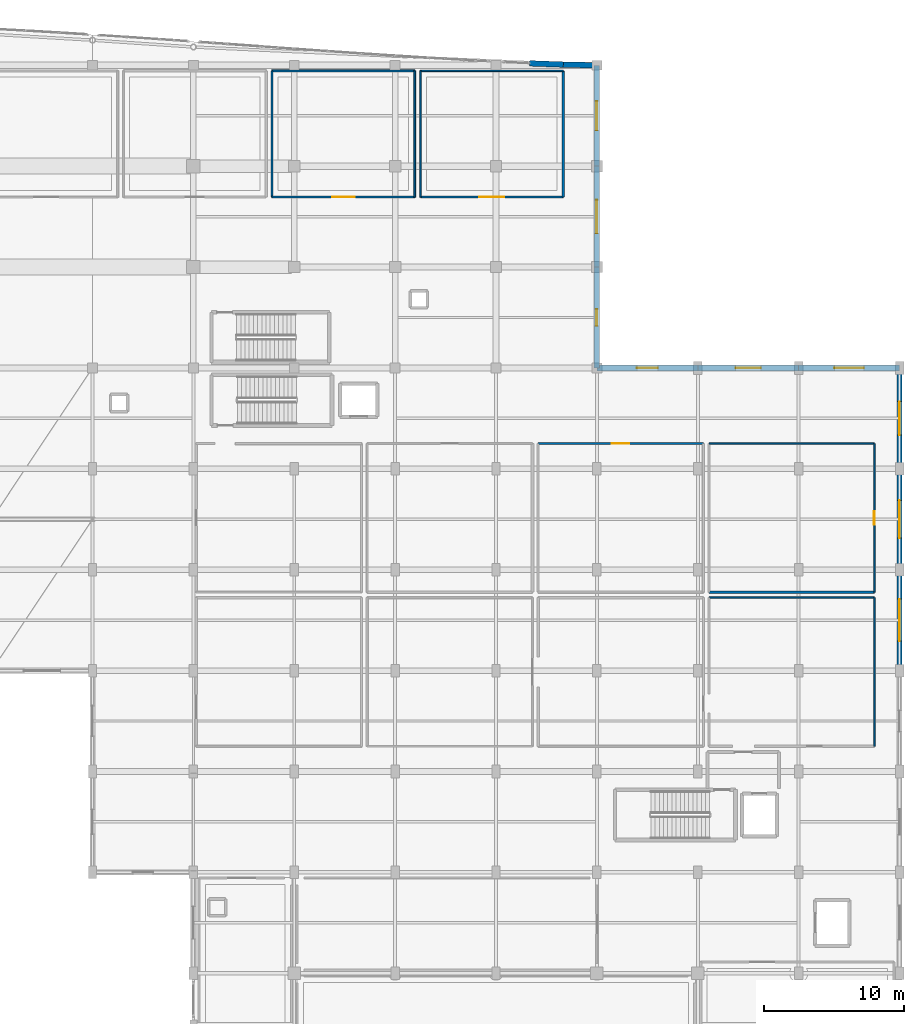
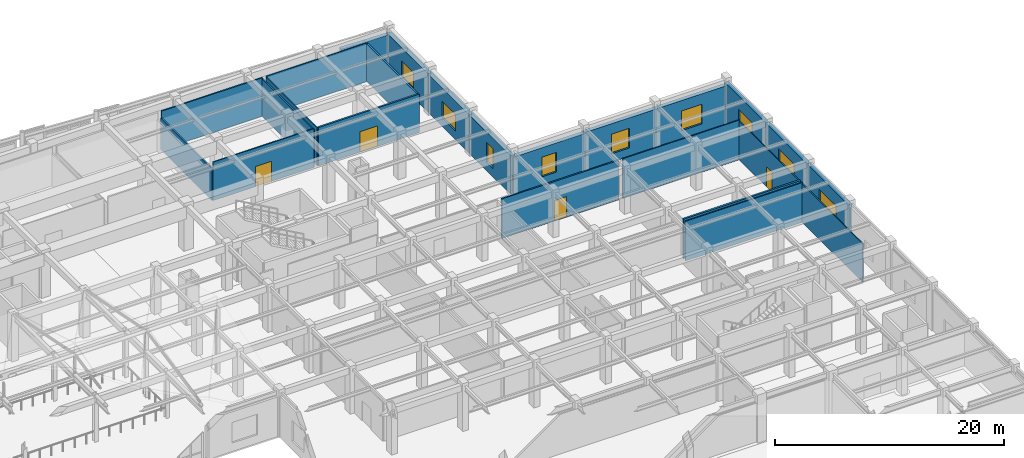
# One storey, part 96 of 117: 25 walls, 9 windows, 4 doors, 13 openings.
"""IFC4 building model written with IfcOpenShell, lengths in metres."""

from ifc_helpers import new_model, si_unit, direction, frame, frame_2d, origin, place, context, subcontext, project, spatial, rectangle, extrude, material, layer, layer_set, type_object, element, fill, save


model = new_model("IFC4")

# Units and contexts
model_context = context("Model", 3, precision=1e-05, world=origin(), true_north=direction((0.0, 1.0)))
body_context = subcontext(model_context, "Body", "Model", "MODEL_VIEW")
ifc_project = project(units=[si_unit("LENGTHUNIT", "METRE"), si_unit("AREAUNIT", "SQUARE_METRE"), si_unit("VOLUMEUNIT", "CUBIC_METRE"), si_unit("PLANEANGLEUNIT", "RADIAN"), si_unit("MASSUNIT", "GRAM", prefix="KILO")], contexts=[model_context])

# Site, building, storey
site_placement = place(None, origin())
site = spatial("IfcSite", under=ifc_project, at=site_placement, CompositionType="ELEMENT")
building_placement = place(site_placement, origin())
building = spatial("IfcBuilding", under=site, at=building_placement, Name="Carrowvane Square Congress Hotel", CompositionType="ELEMENT")
storey_placement = place(building_placement, frame((0.0, 0.0, 5.39990234375)))
storey = spatial("IfcBuildingStorey", under=building, at=storey_placement, Name="L01", CompositionType="ELEMENT", Elevation=5.39990234375)

# Wall, opening, window
ifc_material_1 = material(Name="Glazed terracotta rainscreen", Category="masonry")
ifc_layer_1 = layer(ifc_material_1, 0.360107421875)
ifc_layer_set_1 = layer_set([ifc_layer_1], Name="Glazed terracotta rainscreen")
wall_type_1 = type_object("IfcWallType", Name="WL-EXT-TC360", PredefinedType="STANDARD", material=ifc_layer_set_1)
wall_1_placement = place(storey_placement, frame((184.39990234375, 91.800048828125, 0.0), z_axis=(0.0, 0.0, 1.0), x_axis=(0.0, -1.0, 0.0)))
wall_1 = element("IfcWall", 1, at=wall_1_placement, inside=storey, type_object=wall_type_1, Name="L01 exterior facade wall 226", PredefinedType="STANDARD", context=body_context, shape_type="SweptSolid", body=[
    extrude(rectangle(XDim=7.199951171875, YDim=0.360107421875, at=frame_2d((3.60009765625, 0.0))), origin(), (0.0, 0.0, 1.0), 4.406982421875),
])
opening_1_placement = place(wall_1_placement, frame((2.39990234375, 0.0, 0.89990234375)))
opening_1 = element("IfcOpeningElement", 2, at=opening_1_placement, cuts=wall_1, Name="Opening W-12", PredefinedType="OPENING", context=body_context, shape_type="SweptSolid", body=[
    extrude(rectangle(XDim=2.39990234375, YDim=2.10009765625, at=frame_2d((1.199951171875, 1.050048828125))), frame((0.0, 0.18994140625, 0.0), z_axis=(0.0, -1.0, 0.0), x_axis=(1.0, 0.0, 0.0)), (0.0, 0.0, 1.0), 0.380126953125),
])
ifc_material_2 = material(Name="Double-glazed low-E glass", Category="glass")
window_type_1 = type_object("IfcWindowType", Name="WIN-12", PartitioningType="SINGLE_PANEL", PredefinedType="WINDOW", material=ifc_material_2)
window_1_placement = place(opening_1_placement, origin())
window_1 = element("IfcWindow", 3, at=window_1_placement, inside=storey, type_object=window_type_1, Name="L01 facade window 49", OverallHeight=2.10009765625, OverallWidth=2.39990234375, PartitioningType="SINGLE_PANEL", PredefinedType="WINDOW", context=body_context, shape_type="SweptSolid", body=[
    extrude(rectangle(XDim=2.39990234375, YDim=2.10009765625, at=frame_2d((1.199951171875, 1.050048828125))), frame((0.0, 0.030029296875, 0.0), z_axis=(0.0, -1.0, 0.0), x_axis=(1.0, 0.0, 0.0)), (0.0, 0.0, 1.0), 0.06005859375),
])
fill(opening_1, window_1)

wall_2_placement = place(storey_placement, frame((184.39990234375, 84.60009765625, 0.0), z_axis=(0.0, 0.0, 1.0), x_axis=(0.0, -1.0, 0.0)))
wall_2 = element("IfcWall", 4, at=wall_2_placement, inside=storey, type_object=wall_type_1, Name="L01 exterior facade wall 227", PredefinedType="STANDARD", context=body_context, shape_type="SweptSolid", body=[
    extrude(rectangle(XDim=7.2001953125, YDim=0.360107421875, at=frame_2d((3.60009765625, 0.0))), origin(), (0.0, 0.0, 1.0), 4.406982421875),
])
opening_2_placement = place(wall_2_placement, frame((2.25, 0.0, 0.89990234375)))
opening_2 = element("IfcOpeningElement", 5, at=opening_2_placement, cuts=wall_2, Name="Opening W-13", PredefinedType="OPENING", context=body_context, shape_type="SweptSolid", body=[
    extrude(rectangle(XDim=2.699951171875, YDim=2.10009765625, at=frame_2d((1.35009765625, 1.050048828125))), frame((0.0, 0.18994140625, 0.0), z_axis=(0.0, -1.0, 0.0), x_axis=(1.0, 0.0, 0.0)), (0.0, 0.0, 1.0), 0.380126953125),
])
ifc_material_3 = material(Name="Double-glazed low-E glass", Category="glass")
window_type_2 = type_object("IfcWindowType", Name="WIN-13", PartitioningType="SINGLE_PANEL", PredefinedType="WINDOW", material=ifc_material_3)
window_2_placement = place(opening_2_placement, origin())
window_2 = element("IfcWindow", 6, at=window_2_placement, inside=storey, type_object=window_type_2, Name="L01 facade window 50", OverallHeight=2.10009765625, OverallWidth=2.699951171875, PartitioningType="SINGLE_PANEL", PredefinedType="WINDOW", context=body_context, shape_type="SweptSolid", body=[
    extrude(rectangle(XDim=2.699951171875, YDim=2.10009765625, at=frame_2d((1.35009765625, 1.050048828125))), frame((0.0, 0.030029296875, 0.0), z_axis=(0.0, -1.0, 0.0), x_axis=(1.0, 0.0, 0.0)), (0.0, 0.0, 1.0), 0.06005859375),
])
fill(opening_2, window_2)

wall_3_placement = place(storey_placement, frame((184.39990234375, 77.39990234375, 0.0), z_axis=(0.0, 0.0, 1.0), x_axis=(0.0, -1.0, 0.0)))
wall_3 = element("IfcWall", 7, at=wall_3_placement, inside=storey, type_object=wall_type_1, Name="L01 exterior facade wall 228", PredefinedType="STANDARD", context=body_context, shape_type="SweptSolid", body=[
    extrude(rectangle(XDim=7.199951171875, YDim=0.360107421875, at=frame_2d((3.60009765625, 0.0))), origin(), (0.0, 0.0, 1.0), 4.406982421875),
])
opening_3_placement = place(wall_3_placement, frame((2.10009765625, 0.0, 0.89990234375)))
opening_3 = element("IfcOpeningElement", 8, at=opening_3_placement, cuts=wall_3, Name="Opening W-14", PredefinedType="OPENING", context=body_context, shape_type="SweptSolid", body=[
    extrude(rectangle(XDim=3.0, YDim=2.10009765625, at=frame_2d((1.5, 1.050048828125))), frame((0.0, 0.18994140625, 0.0), z_axis=(0.0, -1.0, 0.0), x_axis=(1.0, 0.0, 0.0)), (0.0, 0.0, 1.0), 0.380126953125),
])
ifc_material_4 = material(Name="Double-glazed low-E glass", Category="glass")
window_type_3 = type_object("IfcWindowType", Name="WIN-14", PartitioningType="SINGLE_PANEL", PredefinedType="WINDOW", material=ifc_material_4)
window_3_placement = place(opening_3_placement, origin())
window_3 = element("IfcWindow", 9, at=window_3_placement, inside=storey, type_object=window_type_3, Name="L01 facade window 51", OverallHeight=2.10009765625, OverallWidth=3.0, PartitioningType="SINGLE_PANEL", PredefinedType="WINDOW", context=body_context, shape_type="SweptSolid", body=[
    extrude(rectangle(XDim=3.0, YDim=2.10009765625, at=frame_2d((1.5, 1.050048828125))), frame((0.0, 0.030029296875, 0.0), z_axis=(0.0, -1.0, 0.0), x_axis=(1.0, 0.0, 0.0)), (0.0, 0.0, 1.0), 0.06005859375),
])
fill(opening_3, window_3)

# Walls
ifc_material_5 = material(Name="Glazed terracotta rainscreen", Category="masonry")
ifc_layer_2 = layer(ifc_material_5, 0.39990234375)
ifc_layer_set_2 = layer_set([ifc_layer_2], Name="Glazed terracotta rainscreen")
wall_type_2 = type_object("IfcWallType", Name="WL-EXT-TC400", PredefinedType="STANDARD", material=ifc_layer_set_2)
wall_4_placement = place(storey_placement, frame((158.0, 113.541015625, 0.0), z_axis=(0.0, 0.0, 1.0), x_axis=(0.99930757318, -0.037207179225, 0.0)))
element("IfcWall", 10, at=wall_4_placement, inside=storey, type_object=wall_type_2, Name="L01 exterior facade wall 218", PredefinedType="STANDARD", context=body_context, shape_type="SweptSolid", body=[
    extrude(rectangle(XDim=2.401611328125, YDim=0.39990234375, at=frame_2d((1.20068359375, 0.0))), origin(), (0.0, 0.0, 1.0), 4.01513671875),
])
wall_5_placement = place(storey_placement, frame((160.39990234375, 113.45166015625, 0.0), z_axis=(0.0, 0.0, 1.0), x_axis=(0.999767568547, -0.021559426766, 0.0)))
element("IfcWall", 11, at=wall_5_placement, inside=storey, type_object=wall_type_2, Name="L01 exterior facade wall 219", PredefinedType="STANDARD", context=body_context, shape_type="SweptSolid", body=[
    extrude(rectangle(XDim=2.400634765625, YDim=0.39990234375, at=frame_2d((1.2001953125, 0.0))), origin(), (0.0, 0.0, 1.0), 4.01513671875),
])

# Wall, opening, window
wall_6_placement = place(storey_placement, frame((162.800048828125, 113.39990234375, 0.0), z_axis=(0.0, 0.0, 1.0), x_axis=(0.0, -1.0, 0.0)))
wall_6 = element("IfcWall", 12, at=wall_6_placement, inside=storey, type_object=wall_type_2, Name="L01 exterior facade wall 220", PredefinedType="STANDARD", context=body_context, shape_type="SweptSolid", body=[
    extrude(rectangle(XDim=7.199951171875, YDim=0.39990234375, at=frame_2d((3.60009765625, 0.0))), origin(), (0.0, 0.0, 1.0), 4.114990234375),
])
opening_4_placement = place(wall_6_placement, frame((2.550048828125, 0.0, 0.89990234375)))
opening_4 = element("IfcOpeningElement", 13, at=opening_4_placement, cuts=wall_6, Name="Opening W-06", PredefinedType="OPENING", context=body_context, shape_type="SweptSolid", body=[
    extrude(rectangle(XDim=2.10009765625, YDim=1.800048828125, at=frame_2d((1.050048828125, 0.89990234375))), frame((0.0, 0.2099609375, 0.0), z_axis=(0.0, -1.0, 0.0), x_axis=(1.0, 0.0, 0.0)), (0.0, 0.0, 1.0), 0.419921875),
])
ifc_material_6 = material(Name="Double-glazed low-E glass", Category="glass")
window_type_4 = type_object("IfcWindowType", Name="WIN-06", PartitioningType="SINGLE_PANEL", PredefinedType="WINDOW", material=ifc_material_6)
window_4_placement = place(opening_4_placement, origin())
window_4 = element("IfcWindow", 14, at=window_4_placement, inside=storey, type_object=window_type_4, Name="L01 facade window 43", OverallHeight=1.800048828125, OverallWidth=2.10009765625, PartitioningType="SINGLE_PANEL", PredefinedType="WINDOW", context=body_context, shape_type="SweptSolid", body=[
    extrude(rectangle(XDim=2.10009765625, YDim=1.800048828125, at=frame_2d((1.050048828125, 0.89990234375))), frame((0.0, 0.030029296875, 0.0), z_axis=(0.0, -1.0, 0.0), x_axis=(1.0, 0.0, 0.0)), (0.0, 0.0, 1.0), 0.06005859375),
])
fill(opening_4, window_4)

wall_7_placement = place(storey_placement, frame((162.800048828125, 106.199951171875, 0.0), z_axis=(0.0, 0.0, 1.0), x_axis=(0.0, -1.0, 0.0)))
wall_7 = element("IfcWall", 15, at=wall_7_placement, inside=storey, type_object=wall_type_2, Name="L01 exterior facade wall 221", PredefinedType="STANDARD", context=body_context, shape_type="SweptSolid", body=[
    extrude(rectangle(XDim=7.199951171875, YDim=0.39990234375, at=frame_2d((3.60009765625, 0.0))), origin(), (0.0, 0.0, 1.0), 4.114990234375),
])
opening_5_placement = place(wall_7_placement, frame((2.39990234375, 0.0, 0.89990234375)))
opening_5 = element("IfcOpeningElement", 16, at=opening_5_placement, cuts=wall_7, Name="Opening W-07", PredefinedType="OPENING", context=body_context, shape_type="SweptSolid", body=[
    extrude(rectangle(XDim=2.39990234375, YDim=1.800048828125, at=frame_2d((1.199951171875, 0.89990234375))), frame((0.0, 0.2099609375, 0.0), z_axis=(0.0, -1.0, 0.0), x_axis=(1.0, 0.0, 0.0)), (0.0, 0.0, 1.0), 0.419921875),
])
ifc_material_7 = material(Name="Double-glazed low-E glass", Category="glass")
window_type_5 = type_object("IfcWindowType", Name="WIN-07", PartitioningType="SINGLE_PANEL", PredefinedType="WINDOW", material=ifc_material_7)
window_5_placement = place(opening_5_placement, origin())
window_5 = element("IfcWindow", 17, at=window_5_placement, inside=storey, type_object=window_type_5, Name="L01 facade window 44", OverallHeight=1.800048828125, OverallWidth=2.39990234375, PartitioningType="SINGLE_PANEL", PredefinedType="WINDOW", context=body_context, shape_type="SweptSolid", body=[
    extrude(rectangle(XDim=2.39990234375, YDim=1.800048828125, at=frame_2d((1.199951171875, 0.89990234375))), frame((0.0, 0.030029296875, 0.0), z_axis=(0.0, -1.0, 0.0), x_axis=(1.0, 0.0, 0.0)), (0.0, 0.0, 1.0), 0.06005859375),
])
fill(opening_5, window_5)

wall_8_placement = place(storey_placement, frame((162.800048828125, 99.0, 0.0), z_axis=(0.0, 0.0, 1.0), x_axis=(0.0, -1.0, 0.0)))
wall_8 = element("IfcWall", 18, at=wall_8_placement, inside=storey, type_object=wall_type_2, Name="L01 exterior facade wall 222", PredefinedType="STANDARD", context=body_context, shape_type="SweptSolid", body=[
    extrude(rectangle(XDim=7.199951171875, YDim=0.39990234375, at=frame_2d((3.60009765625, 0.0))), origin(), (0.0, 0.0, 1.0), 4.114990234375),
])
opening_6_placement = place(wall_8_placement, frame((3.0, 0.0, 0.89990234375)))
opening_6 = element("IfcOpeningElement", 19, at=opening_6_placement, cuts=wall_8, Name="Opening W-08", PredefinedType="OPENING", context=body_context, shape_type="SweptSolid", body=[
    extrude(rectangle(XDim=1.199951171875, YDim=2.10009765625, at=frame_2d((0.60009765625, 1.050048828125))), frame((0.0, 0.2099609375, 0.0), z_axis=(0.0, -1.0, 0.0), x_axis=(1.0, 0.0, 0.0)), (0.0, 0.0, 1.0), 0.419921875),
])
ifc_material_8 = material(Name="Double-glazed low-E glass", Category="glass")
window_type_6 = type_object("IfcWindowType", Name="WIN-08", PartitioningType="SINGLE_PANEL", PredefinedType="WINDOW", material=ifc_material_8)
window_6_placement = place(opening_6_placement, origin())
window_6 = element("IfcWindow", 20, at=window_6_placement, inside=storey, type_object=window_type_6, Name="L01 facade window 45", OverallHeight=2.10009765625, OverallWidth=1.199951171875, PartitioningType="SINGLE_PANEL", PredefinedType="WINDOW", context=body_context, shape_type="SweptSolid", body=[
    extrude(rectangle(XDim=1.199951171875, YDim=2.10009765625, at=frame_2d((0.60009765625, 1.050048828125))), frame((0.0, 0.030029296875, 0.0), z_axis=(0.0, -1.0, 0.0), x_axis=(1.0, 0.0, 0.0)), (0.0, 0.0, 1.0), 0.06005859375),
])
fill(opening_6, window_6)

wall_9_placement = place(storey_placement, frame((162.800048828125, 91.800048828125, 0.0), z_axis=(0.0, 0.0, 1.0), x_axis=(1.0, 0.0, 0.0)))
wall_9 = element("IfcWall", 21, at=wall_9_placement, inside=storey, type_object=wall_type_2, Name="L01 exterior facade wall 223", PredefinedType="STANDARD", context=body_context, shape_type="SweptSolid", body=[
    extrude(rectangle(XDim=7.199951171875, YDim=0.39990234375, at=frame_2d((3.60009765625, 0.0))), origin(), (0.0, 0.0, 1.0), 4.01513671875),
])
opening_7_placement = place(wall_9_placement, frame((2.85009765625, 0.0, 0.89990234375)))
opening_7 = element("IfcOpeningElement", 22, at=opening_7_placement, cuts=wall_9, Name="Opening W-09", PredefinedType="OPENING", context=body_context, shape_type="SweptSolid", body=[
    extrude(rectangle(XDim=1.5, YDim=2.10009765625, at=frame_2d((0.75, 1.050048828125))), frame((0.0, 0.2099609375, 0.0), z_axis=(0.0, -1.0, 0.0), x_axis=(1.0, 0.0, 0.0)), (0.0, 0.0, 1.0), 0.419921875),
])
ifc_material_9 = material(Name="Double-glazed low-E glass", Category="glass")
window_type_7 = type_object("IfcWindowType", Name="WIN-09", PartitioningType="SINGLE_PANEL", PredefinedType="WINDOW", material=ifc_material_9)
window_7_placement = place(opening_7_placement, origin())
window_7 = element("IfcWindow", 23, at=window_7_placement, inside=storey, type_object=window_type_7, Name="L01 facade window 46", OverallHeight=2.10009765625, OverallWidth=1.5, PartitioningType="SINGLE_PANEL", PredefinedType="WINDOW", context=body_context, shape_type="SweptSolid", body=[
    extrude(rectangle(XDim=1.5, YDim=2.10009765625, at=frame_2d((0.75, 1.050048828125))), frame((0.0, 0.030029296875, 0.0), z_axis=(0.0, -1.0, 0.0), x_axis=(1.0, 0.0, 0.0)), (0.0, 0.0, 1.0), 0.06005859375),
])
fill(opening_7, window_7)

wall_10_placement = place(storey_placement, frame((170.0, 91.800048828125, 0.0), z_axis=(0.0, 0.0, 1.0), x_axis=(1.0, 0.0, 0.0)))
wall_10 = element("IfcWall", 24, at=wall_10_placement, inside=storey, type_object=wall_type_2, Name="L01 exterior facade wall 224", PredefinedType="STANDARD", context=body_context, shape_type="SweptSolid", body=[
    extrude(rectangle(XDim=7.199951171875, YDim=0.39990234375, at=frame_2d((3.60009765625, 0.0))), origin(), (0.0, 0.0, 1.0), 4.114990234375),
])
opening_8_placement = place(wall_10_placement, frame((2.699951171875, 0.0, 0.89990234375)))
opening_8 = element("IfcOpeningElement", 25, at=opening_8_placement, cuts=wall_10, Name="Opening W-10", PredefinedType="OPENING", context=body_context, shape_type="SweptSolid", body=[
    extrude(rectangle(XDim=1.800048828125, YDim=2.10009765625, at=frame_2d((0.89990234375, 1.050048828125))), frame((0.0, 0.2099609375, 0.0), z_axis=(0.0, -1.0, 0.0), x_axis=(1.0, 0.0, 0.0)), (0.0, 0.0, 1.0), 0.419921875),
])
ifc_material_10 = material(Name="Double-glazed low-E glass", Category="glass")
window_type_8 = type_object("IfcWindowType", Name="WIN-10", PartitioningType="SINGLE_PANEL", PredefinedType="WINDOW", material=ifc_material_10)
window_8_placement = place(opening_8_placement, origin())
window_8 = element("IfcWindow", 26, at=window_8_placement, inside=storey, type_object=window_type_8, Name="L01 facade window 47", OverallHeight=2.10009765625, OverallWidth=1.800048828125, PartitioningType="SINGLE_PANEL", PredefinedType="WINDOW", context=body_context, shape_type="SweptSolid", body=[
    extrude(rectangle(XDim=1.800048828125, YDim=2.10009765625, at=frame_2d((0.89990234375, 1.050048828125))), frame((0.0, 0.030029296875, 0.0), z_axis=(0.0, -1.0, 0.0), x_axis=(1.0, 0.0, 0.0)), (0.0, 0.0, 1.0), 0.06005859375),
])
fill(opening_8, window_8)

wall_11_placement = place(storey_placement, frame((177.199951171875, 91.800048828125, 0.0), z_axis=(0.0, 0.0, 1.0), x_axis=(1.0, 0.0, 0.0)))
wall_11 = element("IfcWall", 27, at=wall_11_placement, inside=storey, type_object=wall_type_2, Name="L01 exterior facade wall 225", PredefinedType="STANDARD", context=body_context, shape_type="SweptSolid", body=[
    extrude(rectangle(XDim=7.199951171875, YDim=0.39990234375, at=frame_2d((3.60009765625, 0.0))), origin(), (0.0, 0.0, 1.0), 4.114990234375),
])
opening_9_placement = place(wall_11_placement, frame((2.550048828125, 0.0, 0.89990234375)))
opening_9 = element("IfcOpeningElement", 28, at=opening_9_placement, cuts=wall_11, Name="Opening W-11", PredefinedType="OPENING", context=body_context, shape_type="SweptSolid", body=[
    extrude(rectangle(XDim=2.10009765625, YDim=2.10009765625, at=frame_2d((1.050048828125, 1.050048828125))), frame((0.0, 0.2099609375, 0.0), z_axis=(0.0, -1.0, 0.0), x_axis=(1.0, 0.0, 0.0)), (0.0, 0.0, 1.0), 0.419921875),
])
ifc_material_11 = material(Name="Double-glazed low-E glass", Category="glass")
window_type_9 = type_object("IfcWindowType", Name="WIN-11", PartitioningType="SINGLE_PANEL", PredefinedType="WINDOW", material=ifc_material_11)
window_9_placement = place(opening_9_placement, origin())
window_9 = element("IfcWindow", 29, at=window_9_placement, inside=storey, type_object=window_type_9, Name="L01 facade window 48", OverallHeight=2.10009765625, OverallWidth=2.10009765625, PartitioningType="SINGLE_PANEL", PredefinedType="WINDOW", context=body_context, shape_type="SweptSolid", body=[
    extrude(rectangle(XDim=2.10009765625, YDim=2.10009765625, at=frame_2d((1.050048828125, 1.050048828125))), frame((0.0, 0.030029296875, 0.0), z_axis=(0.0, -1.0, 0.0), x_axis=(1.0, 0.0, 0.0)), (0.0, 0.0, 1.0), 0.06005859375),
])
fill(opening_9, window_9)

# Wall, opening, door
ifc_material_12 = material(Name="Acoustic gypsum board", Category="gypsum")
ifc_layer_3 = layer(ifc_material_12, 0.169921875)
ifc_layer_set_3 = layer_set([ifc_layer_3], Name="Acoustic gypsum board")
wall_type_3 = type_object("IfcWallType", Name="WL-FIR-170", PredefinedType="PARTITIONING", material=ifc_layer_set_3)
wall_12_placement = place(storey_placement, frame((160.39990234375, 104.0, 0.0), z_axis=(0.0, 0.0, 1.0), x_axis=(-1.0, 0.0, 0.0)))
wall_12 = element("IfcWall", 30, at=wall_12_placement, inside=storey, type_object=wall_type_3, Name="L01 Private Dining Salon 4 partition", PredefinedType="PARTITIONING", context=body_context, shape_type="SweptSolid", body=[
    extrude(rectangle(XDim=10.199951171875, YDim=0.169921875, at=frame_2d((5.10009765625, 0.0))), origin(), (0.0, 0.0, 1.0), 4.114990234375),
])
opening_10_placement = place(wall_12_placement, frame((4.199951171875, 0.0, 0.0)))
opening_10 = element("IfcOpeningElement", 31, at=opening_10_placement, cuts=wall_12, Name="Opening FD-05", PredefinedType="OPENING", context=body_context, shape_type="SweptSolid", body=[
    extrude(rectangle(XDim=1.800048828125, YDim=2.199951171875, at=frame_2d((0.89990234375, 1.10009765625))), frame((0.0, 0.094970703125, 0.0), z_axis=(0.0, -1.0, 0.0), x_axis=(1.0, 0.0, 0.0)), (0.0, 0.0, 1.0), 0.18994140625),
])
ifc_material_13 = material(Name="European oak timber", Category="wood")
door_type_1 = type_object("IfcDoorType", Name="DR-FD60-1800x2200", OperationType="DOUBLE_DOOR_SINGLE_SWING", PredefinedType="DOOR", material=ifc_material_13)
door_1_placement = place(opening_10_placement, origin())
door_1 = element("IfcDoor", 32, at=door_1_placement, inside=storey, type_object=door_type_1, Name="L01 Private Dining Salon 4 entrance door", OperationType="DOUBLE_DOOR_SINGLE_SWING", OverallHeight=2.199951171875, OverallWidth=1.800048828125, PredefinedType="DOOR", context=body_context, shape_type="SweptSolid", body=[
    extrude(rectangle(XDim=1.800048828125, YDim=2.199951171875, at=frame_2d((0.89990234375, 1.10009765625))), frame((0.0, 0.02490234375, 0.0), z_axis=(0.0, -1.0, 0.0), x_axis=(1.0, 0.0, 0.0)), (0.0, 0.0, 1.0), 0.050048828125),
])
fill(opening_10, door_1)

# Walls
ifc_material_14 = material(Name="Acoustic gypsum board", Category="gypsum")
ifc_layer_4 = layer(ifc_material_14, 0.18505859375)
ifc_layer_set_4 = layer_set([ifc_layer_4], Name="Acoustic gypsum board")
wall_type_4 = type_object("IfcWallType", Name="WL-FIR-185", PredefinedType="PARTITIONING", material=ifc_layer_set_4)
wall_13_placement = place(storey_placement, frame((182.60009765625, 75.800048828125, 0.0), z_axis=(0.0, 0.0, 1.0), x_axis=(-1.0, 0.0, 0.0)))
element("IfcWall", 33, at=wall_13_placement, inside=storey, type_object=wall_type_4, Name="L01 Executive Boardroom 108 partition", PredefinedType="PARTITIONING", context=body_context, shape_type="SweptSolid", body=[
    extrude(rectangle(XDim=11.800048828125, YDim=0.18505859375, at=frame_2d((5.89990234375, 0.0))), origin(), (0.0, 0.0, 1.0), 4.228515625),
])
wall_14_placement = place(storey_placement, frame((160.39990234375, 113.0, 0.0), z_axis=(0.0, 0.0, 1.0), x_axis=(0.0, -1.0, 0.0)))
element("IfcWall", 34, at=wall_14_placement, inside=storey, type_object=wall_type_4, Name="L01 Private Dining Salon 4 partition", PredefinedType="PARTITIONING", context=body_context, shape_type="SweptSolid", body=[
    extrude(rectangle(XDim=9.0, YDim=0.18505859375, at=frame_2d((4.5, 0.0))), origin(), (0.0, 0.0, 1.0), 4.01513671875),
])
ifc_material_15 = material(Name="Acoustic gypsum board", Category="gypsum")
ifc_layer_5 = layer(ifc_material_15, 0.097900390625)
ifc_layer_set_5 = layer_set([ifc_layer_5], Name="Acoustic gypsum board")
wall_type_5 = type_object("IfcWallType", Name="WL-PRT-098", PredefinedType="PARTITIONING", material=ifc_layer_set_5)
wall_15_placement = place(storey_placement, frame((182.60009765625, 75.39990234375, 0.0), z_axis=(0.0, 0.0, 1.0), x_axis=(0.0, -1.0, 0.0)))
element("IfcWall", 35, at=wall_15_placement, inside=storey, type_object=wall_type_5, Name="L01 Executive Boardroom 104 partition", PredefinedType="PARTITIONING", context=body_context, shape_type="SweptSolid", body=[
    extrude(rectangle(XDim=10.599853515625, YDim=0.097900390625, at=frame_2d((5.2998046875, 0.0))), origin(), (0.0, 0.0, 1.0), 4.114990234375),
])

# Wall, opening, door
wall_16_placement = place(storey_placement, frame((182.60009765625, 86.39990234375, 0.0), z_axis=(0.0, 0.0, 1.0), x_axis=(0.0, -1.0, 0.0)))
wall_16 = element("IfcWall", 36, at=wall_16_placement, inside=storey, type_object=wall_type_5, Name="L01 Executive Boardroom 108 partition", PredefinedType="PARTITIONING", context=body_context, shape_type="SweptSolid", body=[
    extrude(rectangle(XDim=10.599853515625, YDim=0.097900390625, at=frame_2d((5.2998046875, 0.0))), origin(), (0.0, 0.0, 1.0), 4.114990234375),
])
opening_11_placement = place(wall_16_placement, frame((4.81494140625, 0.0, 0.0)))
opening_11 = element("IfcOpeningElement", 37, at=opening_11_placement, cuts=wall_16, Name="Opening ID-19", PredefinedType="OPENING", context=body_context, shape_type="SweptSolid", body=[
    extrude(rectangle(XDim=0.969970703125, YDim=2.159912109375, at=frame_2d((0.48486328125, 1.080078125))), frame((0.0, 0.058837890625, 0.0), z_axis=(0.0, -1.0, 0.0), x_axis=(1.0, 0.0, 0.0)), (0.0, 0.0, 1.0), 0.117919921875),
])
ifc_material_16 = material(Name="European oak timber", Category="wood")
door_type_2 = type_object("IfcDoorType", Name="DR-INT-0970x2160", OperationType="NOTDEFINED", PredefinedType="DOOR", material=ifc_material_16)
door_2_placement = place(opening_11_placement, origin())
door_2 = element("IfcDoor", 38, at=door_2_placement, inside=storey, type_object=door_type_2, Name="L01 Executive Boardroom 108 entrance door", OperationType="SINGLE_SWING_RIGHT", OverallHeight=2.159912109375, OverallWidth=0.969970703125, PredefinedType="DOOR", context=body_context, shape_type="SweptSolid", body=[
    extrude(rectangle(XDim=0.969970703125, YDim=2.159912109375, at=frame_2d((0.48486328125, 1.080078125))), frame((0.0, 0.02490234375, 0.0), z_axis=(0.0, -1.0, 0.0), x_axis=(1.0, 0.0, 0.0)), (0.0, 0.0, 1.0), 0.050048828125),
])
fill(opening_11, door_2)

# Walls
wall_17_placement = place(storey_placement, frame((150.199951171875, 113.0, 0.0), z_axis=(0.0, 0.0, 1.0), x_axis=(1.0, 0.0, 0.0)))
element("IfcWall", 39, at=wall_17_placement, inside=storey, type_object=wall_type_5, Name="L01 Private Dining Salon 4 partition", PredefinedType="PARTITIONING", context=body_context, shape_type="SweptSolid", body=[
    extrude(rectangle(XDim=10.199951171875, YDim=0.097900390625, at=frame_2d((5.10009765625, 0.0))), origin(), (0.0, 0.0, 1.0), 4.114990234375),
])
ifc_material_17 = material(Name="Acoustic gypsum board", Category="gypsum")
ifc_layer_6 = layer(ifc_material_17, 0.10791015625)
ifc_layer_set_6 = layer_set([ifc_layer_6], Name="Acoustic gypsum board")
wall_type_6 = type_object("IfcWallType", Name="WL-PRT-108", PredefinedType="PARTITIONING", material=ifc_layer_set_6)
for number, where, z_axis, x_axis, name in (
    (40, (170.800048828125, 75.39990234375, 0.0), (0.0, 0.0, 1.0), (1.0, 0.0, 0.0), "L01 Executive Boardroom 104 partition"),
    (41, (170.800048828125, 86.39990234375, 0.0), (0.0, 0.0, 1.0), (1.0, 0.0, 0.0), "L01 Executive Boardroom 108 partition"),
):
    element("IfcWall", number, at=place(storey_placement, frame(where, z_axis=z_axis, x_axis=x_axis)), inside=storey, type_object=wall_type_6, Name=name, PredefinedType="PARTITIONING", context=body_context, shape_type="SweptSolid", body=[
        extrude(rectangle(XDim=11.800048828125, YDim=0.10791015625, at=frame_2d((5.89990234375, 0.0))), origin(), (0.0, 0.0, 1.0), 4.228515625),
    ])
wall_18_placement = place(storey_placement, frame((150.199951171875, 104.0, 0.0), z_axis=(0.0, 0.0, 1.0), x_axis=(0.0, 1.0, 0.0)))
element("IfcWall", 42, at=wall_18_placement, inside=storey, type_object=wall_type_6, Name="L01 Private Dining Salon 4 partition", PredefinedType="PARTITIONING", context=body_context, shape_type="SweptSolid", body=[
    extrude(rectangle(XDim=9.0, YDim=0.10791015625, at=frame_2d((4.5, 0.0))), origin(), (0.0, 0.0, 1.0), 4.01513671875),
])

# Wall, opening, door
ifc_material_18 = material(Name="Acoustic gypsum board", Category="gypsum")
ifc_layer_7 = layer(ifc_material_18, 0.117919921875)
ifc_layer_set_7 = layer_set([ifc_layer_7], Name="Acoustic gypsum board")
wall_type_7 = type_object("IfcWallType", Name="WL-PRT-118", PredefinedType="PARTITIONING", material=ifc_layer_set_7)
wall_19_placement = place(storey_placement, frame((149.800048828125, 104.0, 0.0), z_axis=(0.0, 0.0, 1.0), x_axis=(-1.0, 0.0, 0.0)))
wall_19 = element("IfcWall", 43, at=wall_19_placement, inside=storey, type_object=wall_type_7, Name="L01 Private Dining Salon 3 partition", PredefinedType="PARTITIONING", context=body_context, shape_type="SweptSolid", body=[
    extrude(rectangle(XDim=10.199951171875, YDim=0.117919921875, at=frame_2d((5.10009765625, 0.0))), origin(), (0.0, 0.0, 1.0), 4.114990234375),
])
opening_12_placement = place(wall_19_placement, frame((4.300048828125, 0.0, 0.0)))
opening_12 = element("IfcOpeningElement", 44, at=opening_12_placement, cuts=wall_19, Name="Opening FD-04", PredefinedType="OPENING", context=body_context, shape_type="SweptSolid", body=[
    extrude(rectangle(XDim=1.60009765625, YDim=2.14990234375, at=frame_2d((0.800048828125, 1.074951171875))), frame((0.0, 0.06884765625, 0.0), z_axis=(0.0, -1.0, 0.0), x_axis=(1.0, 0.0, 0.0)), (0.0, 0.0, 1.0), 0.137939453125),
])
ifc_material_19 = material(Name="European oak timber", Category="wood")
door_type_3 = type_object("IfcDoorType", Name="DR-FD60-1600x2150", OperationType="DOUBLE_DOOR_SINGLE_SWING", PredefinedType="DOOR", material=ifc_material_19)
door_3_placement = place(opening_12_placement, origin())
door_3 = element("IfcDoor", 45, at=door_3_placement, inside=storey, type_object=door_type_3, Name="L01 Private Dining Salon 3 entrance door", OperationType="DOUBLE_DOOR_SINGLE_SWING", OverallHeight=2.14990234375, OverallWidth=1.60009765625, PredefinedType="DOOR", context=body_context, shape_type="SweptSolid", body=[
    extrude(rectangle(XDim=1.60009765625, YDim=2.14990234375, at=frame_2d((0.800048828125, 1.074951171875))), frame((0.0, 0.02490234375, 0.0), z_axis=(0.0, -1.0, 0.0), x_axis=(1.0, 0.0, 0.0)), (0.0, 0.0, 1.0), 0.050048828125),
])
fill(opening_12, door_3)

# Walls
ifc_material_20 = material(Name="Acoustic gypsum board", Category="gypsum")
ifc_layer_8 = layer(ifc_material_20, 0.1279296875)
ifc_layer_set_8 = layer_set([ifc_layer_8], Name="Acoustic gypsum board")
wall_type_8 = type_object("IfcWallType", Name="WL-PRT-128", PredefinedType="PARTITIONING", material=ifc_layer_set_8)
wall_20_placement = place(storey_placement, frame((149.800048828125, 113.0, 0.0), z_axis=(0.0, 0.0, 1.0), x_axis=(0.0, -1.0, 0.0)))
element("IfcWall", 46, at=wall_20_placement, inside=storey, type_object=wall_type_8, Name="L01 Private Dining Salon 3 partition", PredefinedType="PARTITIONING", context=body_context, shape_type="SweptSolid", body=[
    extrude(rectangle(XDim=9.0, YDim=0.1279296875, at=frame_2d((4.5, 0.0))), origin(), (0.0, 0.0, 1.0), 4.01513671875),
])
ifc_material_21 = material(Name="Acoustic gypsum board", Category="gypsum")
ifc_layer_9 = layer(ifc_material_21, 0.137939453125)
ifc_layer_set_9 = layer_set([ifc_layer_9], Name="Acoustic gypsum board")
wall_type_9 = type_object("IfcWallType", Name="WL-PRT-138", PredefinedType="PARTITIONING", material=ifc_layer_set_9)
wall_21_placement = place(storey_placement, frame((139.60009765625, 113.0, 0.0), z_axis=(0.0, 0.0, 1.0), x_axis=(1.0, 0.0, 0.0)))
element("IfcWall", 47, at=wall_21_placement, inside=storey, type_object=wall_type_9, Name="L01 Private Dining Salon 3 partition", PredefinedType="PARTITIONING", context=body_context, shape_type="SweptSolid", body=[
    extrude(rectangle(XDim=10.199951171875, YDim=0.137939453125, at=frame_2d((5.10009765625, 0.0))), origin(), (0.0, 0.0, 1.0), 4.114990234375),
])

# Wall, opening, door
ifc_material_22 = material(Name="Acoustic gypsum board", Category="gypsum")
ifc_layer_10 = layer(ifc_material_22, 0.14794921875)
ifc_layer_set_10 = layer_set([ifc_layer_10], Name="Acoustic gypsum board")
wall_type_10 = type_object("IfcWallType", Name="WL-PRT-148", PredefinedType="PARTITIONING", material=ifc_layer_set_10)
wall_22_placement = place(storey_placement, frame((158.60009765625, 86.39990234375, 0.0), z_axis=(0.0, 0.0, 1.0), x_axis=(1.0, 0.0, 0.0)))
wall_22 = element("IfcWall", 48, at=wall_22_placement, inside=storey, type_object=wall_type_10, Name="L01 Executive Boardroom 107 partition", PredefinedType="PARTITIONING", context=body_context, shape_type="SweptSolid", body=[
    extrude(rectangle(XDim=11.7998046875, YDim=0.14794921875, at=frame_2d((5.89990234375, 0.0))), origin(), (0.0, 0.0, 1.0), 4.228515625),
])
opening_13_placement = place(wall_22_placement, frame((5.27490234375, 0.0, 0.0)))
opening_13 = element("IfcOpeningElement", 49, at=opening_13_placement, cuts=wall_22, Name="Opening ID-10", PredefinedType="OPENING", context=body_context, shape_type="SweptSolid", body=[
    extrude(rectangle(XDim=1.25, YDim=2.199951171875, at=frame_2d((0.625, 1.10009765625))), frame((0.0, 0.083984375, 0.0), z_axis=(0.0, -1.0, 0.0), x_axis=(1.0, 0.0, 0.0)), (0.0, 0.0, 1.0), 0.16796875),
])
ifc_material_23 = material(Name="European oak timber", Category="wood")
door_type_4 = type_object("IfcDoorType", Name="DR-INT-1250x2200", OperationType="NOTDEFINED", PredefinedType="DOOR", material=ifc_material_23)
door_4_placement = place(opening_13_placement, origin())
door_4 = element("IfcDoor", 50, at=door_4_placement, inside=storey, type_object=door_type_4, Name="L01 Executive Boardroom 107 entrance door", OperationType="SINGLE_SWING_LEFT", OverallHeight=2.199951171875, OverallWidth=1.25, PredefinedType="DOOR", context=body_context, shape_type="SweptSolid", body=[
    extrude(rectangle(XDim=1.25, YDim=2.199951171875, at=frame_2d((0.625, 1.10009765625))), frame((0.0, 0.02490234375, 0.0), z_axis=(0.0, -1.0, 0.0), x_axis=(1.0, 0.0, 0.0)), (0.0, 0.0, 1.0), 0.050048828125),
])
fill(opening_13, door_4)

# Wall
wall_23_placement = place(storey_placement, frame((139.60009765625, 104.0, 0.0), z_axis=(0.0, 0.0, 1.0), x_axis=(0.0, 1.0, 0.0)))
element("IfcWall", 51, at=wall_23_placement, inside=storey, type_object=wall_type_10, Name="L01 Private Dining Salon 3 partition", PredefinedType="PARTITIONING", context=body_context, shape_type="SweptSolid", body=[
    extrude(rectangle(XDim=9.0, YDim=0.14794921875, at=frame_2d((4.5, 0.0))), origin(), (0.0, 0.0, 1.0), 3.364990234375),
])

save(model, "model.ifc")
